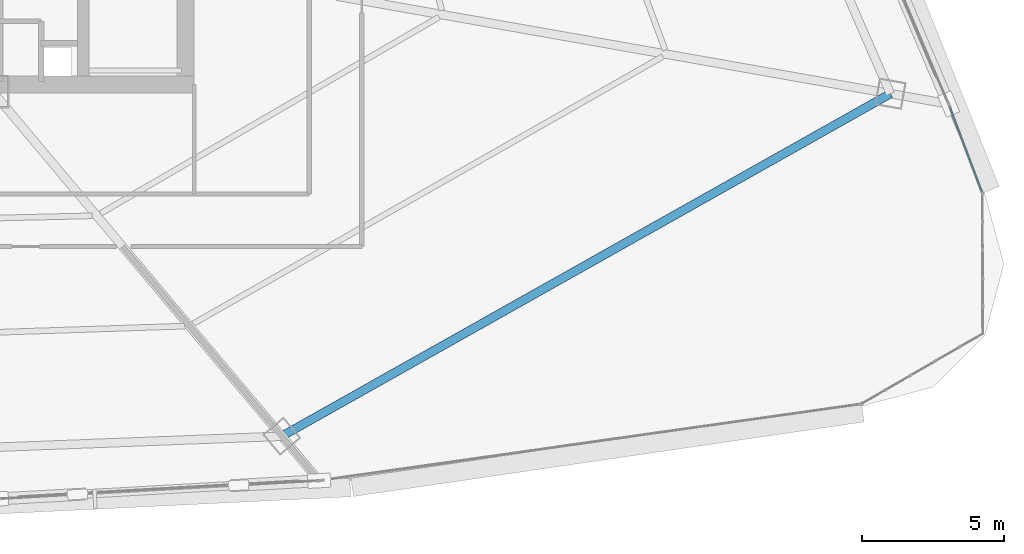
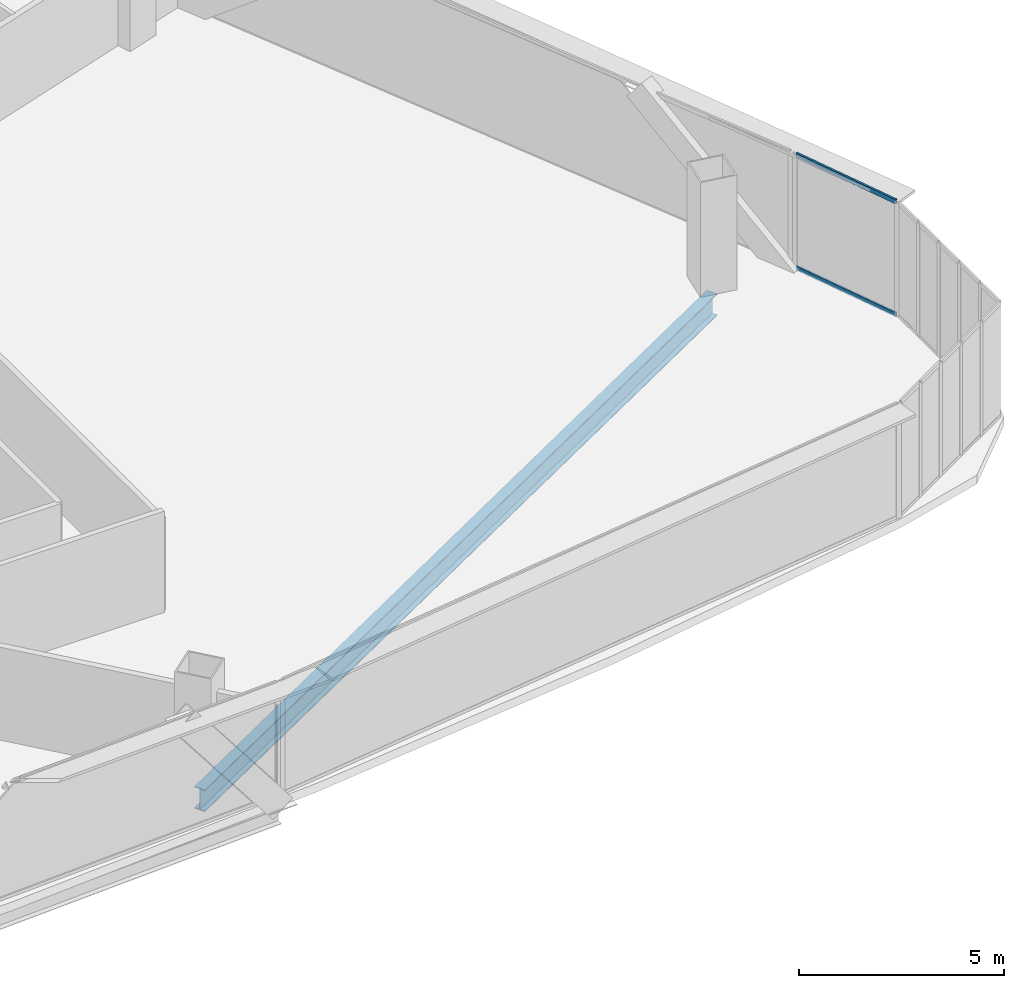
# One storey, part 23 of 42: 2 members, 1 beam, 1 element without a shape of its own.
"""IFC4 building model written with IfcOpenShell, lengths in metres."""

import ifcopenshell
import ifcopenshell.guid

model = None  # the IFC model being written
_history = None  # IfcOwnerHistory: only IFC2X3 demands one
_inside = {}  # id of a spatial element -> (the spatial element, [elements in it])
_under = {}  # id of a project, library or spatial element -> (it, [spatial elements below it])
_declared = {}  # id of a project -> (the project, [libraries it declares])
_typed = {}  # id of a type object -> (the type object, [elements of that type])
_made_of = {}  # id of a material, layer set ... -> (it, [elements and type objects made of it])


def new_model(schema):
    """Start an empty IFC model of exactly this schema.

    Asked for "IFC4X3", IfcOpenShell would pick the latest addendum, in which some entities
    have other attributes; the version numbers below select the first issue.
    IFC2X3 requires an IfcOwnerHistory on every rooted entity: one is made here for all.
    """
    global model, _history
    if schema == "IFC4X3":
        model = ifcopenshell.file(schema_version=(4, 3, 0, 0))
    else:
        model = ifcopenshell.file(schema=schema)
    _inside.clear()
    _under.clear()
    _declared.clear()
    _typed.clear()
    _made_of.clear()
    _history = None
    if model.schema == "IFC2X3":
        org = make("IfcOrganization", Name="unknown")
        user = make(
            "IfcPersonAndOrganization",
            ThePerson=make("IfcPerson", FamilyName="unknown"),
            TheOrganization=org,
        )
        app = make(
            "IfcApplication",
            ApplicationDeveloper=org,
            Version="unknown",
            ApplicationFullName="unknown",
            ApplicationIdentifier="unknown",
        )
        _history = make(
            "IfcOwnerHistory",
            OwningUser=user,
            OwningApplication=app,
            ChangeAction="ADDED",
            CreationDate=0,
        )
    return model


def make(cls, **values):
    """One entity of the class cls with the attributes given. An attribute that is None is left unset."""
    return model.create_entity(
        cls, **{name: value for name, value in values.items() if value is not None}
    )


def rooted(cls, **values):
    """An entity with a GlobalId (a new one), such as an element, a storey or a relation."""
    return make(cls, GlobalId=ifcopenshell.guid.new(), OwnerHistory=_history, **values)


def si_unit(unit_type, name, prefix=None):
    """IfcSIUnit, for example si_unit("LENGTHUNIT", "METRE", prefix="MILLI")."""
    return make("IfcSIUnit", UnitType=unit_type, Prefix=prefix, Name=name)


def assignment(units):
    """IfcUnitAssignment: the units of a project."""
    return None if units is None else make("IfcUnitAssignment", Units=units)


def point(xyz):
    """IfcCartesianPoint."""
    return None if xyz is None else make("IfcCartesianPoint", Coordinates=xyz)


def direction(xyz):
    """IfcDirection."""
    return None if xyz is None else make("IfcDirection", DirectionRatios=xyz)


def frame(location, z_axis=None, x_axis=None):
    """IfcAxis2Placement3D, a coordinate frame: its origin and axes. An axis left out is left unset."""
    return make(
        "IfcAxis2Placement3D",
        Location=point(location),
        Axis=direction(z_axis),
        RefDirection=direction(x_axis),
    )


def frame_2d(location, x_axis=None):
    """IfcAxis2Placement2D, a coordinate frame in the plane: its origin and x axis."""
    return make(
        "IfcAxis2Placement2D", Location=point(location), RefDirection=direction(x_axis)
    )


def origin():
    """The frame at (0, 0, 0) with its axes left unset."""
    return frame((0.0, 0.0, 0.0))


def origin_2d():
    """The frame at (0, 0) in the plane with its x axis left unset."""
    return frame_2d((0.0, 0.0))


def place(relative_to, where):
    """IfcLocalPlacement: puts the frame where relative to a parent placement (None: the world)."""
    return make(
        "IfcLocalPlacement", PlacementRelTo=relative_to, RelativePlacement=where
    )


def context(
    kind, dimensions, precision=None, world=None, true_north=None, identifier=None
):
    """IfcGeometricRepresentationContext, for example the 3D "Model" context."""
    return make(
        "IfcGeometricRepresentationContext",
        ContextIdentifier=identifier,
        ContextType=kind,
        CoordinateSpaceDimension=dimensions,
        Precision=precision,
        WorldCoordinateSystem=world,
        TrueNorth=true_north,
    )


def subcontext(parent, identifier, kind, view, scale=None):
    """IfcGeometricRepresentationSubContext, for example "Body" below "Model"."""
    return make(
        "IfcGeometricRepresentationSubContext",
        ContextIdentifier=identifier,
        ContextType=kind,
        ParentContext=parent,
        TargetScale=scale,
        TargetView=view,
    )


def project(units=None, contexts=None):
    """IfcProject with its units and contexts."""
    return rooted(
        "IfcProject",
        Name="project",
        RepresentationContexts=contexts,
        UnitsInContext=assignment(units),
    )


def spatial(cls, under=None, at=None, **own):
    """A site, building, storey or space (cls), placed at a placement, below another one or the project."""
    s = rooted(cls, ObjectPlacement=at, **own)
    if under is not None:
        _under.setdefault(under.id(), (under, []))[1].append(s)
    return s


def profile(cls, at=None, kind="AREA", **sizes):
    """A parametric profile (cls). Its sizes go by their IFC names, for example OverallWidth=200.0."""
    return make(cls, ProfileType=kind, Position=at, **sizes)


def hollow_rectangle(**sizes):
    """IfcRectangleHollowProfileDef."""
    return profile("IfcRectangleHollowProfileDef", **sizes)


def i_section(**sizes):
    """IfcIShapeProfileDef."""
    return profile("IfcIShapeProfileDef", **sizes)


def extrude(swept, where, along, depth):
    """IfcExtrudedAreaSolid: the profile swept, set in the frame where, extruded along a direction by depth."""
    return make(
        "IfcExtrudedAreaSolid",
        SweptArea=swept,
        Position=where,
        ExtrudedDirection=direction(along),
        Depth=depth,
    )


def shape(context_of_items, identifier, shape_type, items):
    """IfcShapeRepresentation: the items that make up one representation, for example the "Body"."""
    return make(
        "IfcShapeRepresentation",
        ContextOfItems=context_of_items,
        RepresentationIdentifier=identifier,
        RepresentationType=shape_type,
        Items=items,
    )


def source(mapping_origin, context_of_items, identifier, shape_type, items):
    """IfcRepresentationMap: a shape defined once, which mapped items show again and again."""
    return make(
        "IfcRepresentationMap",
        MappingOrigin=mapping_origin,
        MappedRepresentation=shape(context_of_items, identifier, shape_type, items),
    )


def transform(
    local_origin,
    x_axis=None,
    y_axis=None,
    z_axis=None,
    scale=None,
    scale2=None,
    scale3=None,
    uniform=True,
):
    """IfcCartesianTransformationOperator3D, or its non-uniform kind. x_axis, y_axis, z_axis: its Axis1, 2, 3."""
    if uniform:
        return make(
            "IfcCartesianTransformationOperator3D",
            Axis1=direction(x_axis),
            Axis2=direction(y_axis),
            LocalOrigin=point(local_origin),
            Scale=scale,
            Axis3=direction(z_axis),
        )
    return make(
        "IfcCartesianTransformationOperator3DnonUniform",
        Axis1=direction(x_axis),
        Axis2=direction(y_axis),
        LocalOrigin=point(local_origin),
        Scale=scale,
        Axis3=direction(z_axis),
        Scale2=scale2,
        Scale3=scale3,
    )


def mapped(mapping_source, mapping_target):
    """IfcMappedItem: shows the shape of a source again, moved by a transform."""
    return make(
        "IfcMappedItem", MappingSource=mapping_source, MappingTarget=mapping_target
    )


def material(Name=None, Category=None):
    """IfcMaterial."""
    return make("IfcMaterial", Name=Name, Category=Category)


def layer(
    of_material, thickness, ventilated=None, Name=None, Category=None, Priority=None
):
    """IfcMaterialLayer: one layer of a wall or slab, of a material (None: an air gap)."""
    return make(
        "IfcMaterialLayer",
        Material=of_material,
        LayerThickness=thickness,
        IsVentilated=ventilated,
        Name=Name,
        Category=Category,
        Priority=Priority,
    )


def layer_set(layers, Name=None):
    """IfcMaterialLayerSet."""
    return make("IfcMaterialLayerSet", MaterialLayers=layers, LayerSetName=Name)


def material_profile(
    of_material, cross_section, Name=None, Category=None, Priority=None
):
    """IfcMaterialProfile: a cross section and its material."""
    return make(
        "IfcMaterialProfile",
        Name=Name,
        Material=of_material,
        Profile=cross_section,
        Priority=Priority,
        Category=Category,
    )


def profile_set(profiles, Name=None, composite=None):
    """IfcMaterialProfileSet."""
    return make(
        "IfcMaterialProfileSet",
        Name=Name,
        MaterialProfiles=profiles,
        CompositeProfile=composite,
    )


def made_of(thing, what):
    """Note that an element or type object is made of a material, layer set ...; save() writes the relation."""
    if what is not None:
        _made_of.setdefault(what.id(), (what, []))[1].append(thing)
    return thing


def type_object(cls, material=None, **own):
    """A type object (cls), such as IfcWallType, which elements share."""
    return made_of(rooted(cls, **own), material)


def element(
    cls,
    number,
    at=None,
    inside=None,
    cuts=None,
    type_object=None,
    material=None,
    context=None,
    identifier="Body",
    shape_type=None,
    held_by="IfcProductDefinitionShape",
    body=None,
    shapes=None,
    **own,
):
    """One element of the class cls, such as IfcWall. Its Tag is "e" and its number.

    at: its placement. inside: the storey or other place that contains it. cuts: it is an
    opening in that element (IfcRelVoidsElement). A single representation is given by context,
    identifier, shape_type and body (its items); several are given by shapes. held_by: the class
    of the entity that holds the representations. save() writes the other relations.
    """
    e = rooted(cls, Tag="e%d" % number, ObjectPlacement=at, **own)
    if body is not None:
        shapes = [shape(context, identifier, shape_type, body)]
    if shapes is not None:
        e.Representation = make(held_by, Representations=shapes)
    if inside is not None:
        _inside.setdefault(inside.id(), (inside, []))[1].append(e)
    if cuts is not None:
        rooted(
            "IfcRelVoidsElement", RelatingBuildingElement=cuts, RelatedOpeningElement=e
        )
    if type_object is not None:
        _typed.setdefault(type_object.id(), (type_object, []))[1].append(e)
    return made_of(e, material)


def aggregate(whole, parts):
    """IfcRelAggregates: a whole, such as a stair, and the parts it consists of."""
    return rooted("IfcRelAggregates", RelatingObject=whole, RelatedObjects=parts)


def save(model, path):
    """Write the relations noted so far, then the file.

    IfcRelAggregates (storeys below a building ...), IfcRelContainedInSpatialStructure (elements
    in a storey), IfcRelDefinesByType, IfcRelAssociatesMaterial and IfcRelDeclares: one each for
    every whole, place, type object, material and project.
    """
    for whole, parts in _under.values():
        aggregate(whole, parts)
    for where, things in _inside.values():
        rooted(
            "IfcRelContainedInSpatialStructure",
            RelatedElements=things,
            RelatingStructure=where,
        )
    for kind, things in _typed.values():
        rooted("IfcRelDefinesByType", RelatedObjects=things, RelatingType=kind)
    for what, things in _made_of.values():
        rooted("IfcRelAssociatesMaterial", RelatedObjects=things, RelatingMaterial=what)
    for by, libraries in _declared.values():
        rooted("IfcRelDeclares", RelatingContext=by, RelatedDefinitions=libraries)
    model.write(path)


model = new_model("IFC4")

# Units and contexts
model_context = context("Model", 3, precision=1e-05, world=origin(), true_north=direction((0.0, 1.0)))
body_context = subcontext(model_context, "Body", "Model", "MODEL_VIEW")
ifc_project = project(units=[si_unit("LENGTHUNIT", "METRE"), si_unit("AREAUNIT", "SQUARE_METRE"), si_unit("VOLUMEUNIT", "CUBIC_METRE"), si_unit("PLANEANGLEUNIT", "RADIAN"), si_unit("MASSUNIT", "GRAM", prefix="KILO"), si_unit("THERMODYNAMICTEMPERATUREUNIT", "KELVIN"), si_unit("POWERUNIT", "WATT")], contexts=[model_context])

# Site, building, storey
site_placement = place(None, origin())
site = spatial("IfcSite", under=ifc_project, at=site_placement, CompositionType="ELEMENT")
building_placement = place(site_placement, origin())
building = spatial("IfcBuilding", under=site, at=building_placement, Name="Yunzhuo Pagoda Commons", CompositionType="ELEMENT")
storey_placement = place(building_placement, frame((0.0, 0.0, 129.830078125)))
storey = spatial("IfcBuildingStorey", under=building, at=storey_placement, Name="L32", CompositionType="ELEMENT", Elevation=129.830078125)

# Beam
ifc_material_1 = material(Name="Structural steel Q355B", Category="steel")
ifc_material_profile_1 = material_profile(ifc_material_1, i_section(OverallWidth=0.300048828125, OverallDepth=0.64990234375, WebThickness=0.012939453125, FlangeThickness=0.02197265625, at=origin_2d()), Name="Structural steel Q355B")
ifc_profile_set_1 = profile_set([ifc_material_profile_1], Name="Structural steel Q355B")
beam_type = type_object("IfcBeamType", Name="B-RG2 Beam HN 650x300x13x22", PredefinedType="BEAM", material=ifc_profile_set_1)
shared_shape_1 = source(origin(), body_context, "Body", "SweptSolid", [
    extrude(i_section(OverallWidth=0.300048828125, OverallDepth=0.64990234375, WebThickness=0.012939453125, FlangeThickness=0.02197265625, at=origin_2d()), origin(), (0.0, 0.0, 1.0), 24.56982421875),
])
beam_placement = place(storey_placement, frame((63.585205078125, 15.126220703125, -0.5849609375), z_axis=(0.871469103633, 0.490450406681, 0.0), x_axis=(-0.490450406681, 0.871469103633, 0.0)))
element("IfcBeam", 1, at=beam_placement, inside=storey, type_object=beam_type, Name="L32 column-ring beam 4", PredefinedType="BEAM", context=body_context, shape_type="MappedRepresentation", body=[
    mapped(shared_shape_1, transform((0.0, 0.0, 0.0), scale=1.0)),
])

# Curtain wall, members
ifc_material_2 = material(Name="Anodized aluminium 6063-T6", Category="aluminium")
ifc_layer = layer(ifc_material_2, 0.14990234375)
ifc_layer_set = layer_set([ifc_layer], Name="Anodized aluminium 6063-T6")
curtain_wall_type = type_object("IfcCurtainWallType", Name="CW-MID Mid-Zone Ribbon Curtain Wall", PredefinedType="NOTDEFINED", material=ifc_layer_set)
curtain_wall_placement = place(storey_placement, origin())
curtain_wall = element("IfcCurtainWall", 2, at=curtain_wall_placement, inside=storey, type_object=curtain_wall_type, Name="L32 curtain wall CW-L32-F2B1", PredefinedType="NOTDEFINED")
ifc_material_profile_2 = material_profile(ifc_material_2, hollow_rectangle(XDim=0.054931640625, YDim=0.1298828125, WallThickness=0.00341796875, at=origin_2d()), Name="Anodized aluminium 6063-T6")
ifc_profile_set_2 = profile_set([ifc_material_profile_2], Name="Anodized aluminium 6063-T6")
member_type = type_object("IfcMemberType", Name="CW-MID-T Transom RHS 130x55x3.5", PredefinedType="USERDEFINED", material=ifc_profile_set_2)
shared_shape_2 = source(origin(), body_context, "Body", "SweptSolid", [
    extrude(hollow_rectangle(XDim=0.054931640625, YDim=0.1298828125, WallThickness=0.00341796875, at=origin_2d()), origin(), (0.0, 0.0, 1.0), 3.15576171875),
])
member_1_placement = place(storey_placement, frame((88.212158203125, 23.73681640625, 0.02734375), z_axis=(-0.353784181355, 0.935327083443, 0.0), x_axis=(-0.935327083443, -0.353784181355, 0.0)))
member_1 = element("IfcMember", 3, at=member_1_placement, type_object=member_type, Name="CW transom 1.1", ObjectType="TRANSOM", PredefinedType="USERDEFINED", context=body_context, shape_type="MappedRepresentation", body=[
    mapped(shared_shape_2, transform((0.0, 0.0, 0.0), scale=1.0)),
])
member_2_placement = place(storey_placement, frame((88.212158203125, 23.73681640625, 3.392333984375), z_axis=(-0.353784181355, 0.935327083443, 0.0), x_axis=(-0.935327083443, -0.353784181355, 0.0)))
member_2 = element("IfcMember", 4, at=member_2_placement, type_object=member_type, Name="CW transom 1.2", ObjectType="TRANSOM", PredefinedType="USERDEFINED", context=body_context, shape_type="MappedRepresentation", body=[
    mapped(shared_shape_2, transform((0.0, 0.0, 0.0), scale=1.0)),
])
aggregate(curtain_wall, [member_1, member_2])

save(model, "model.ifc")
